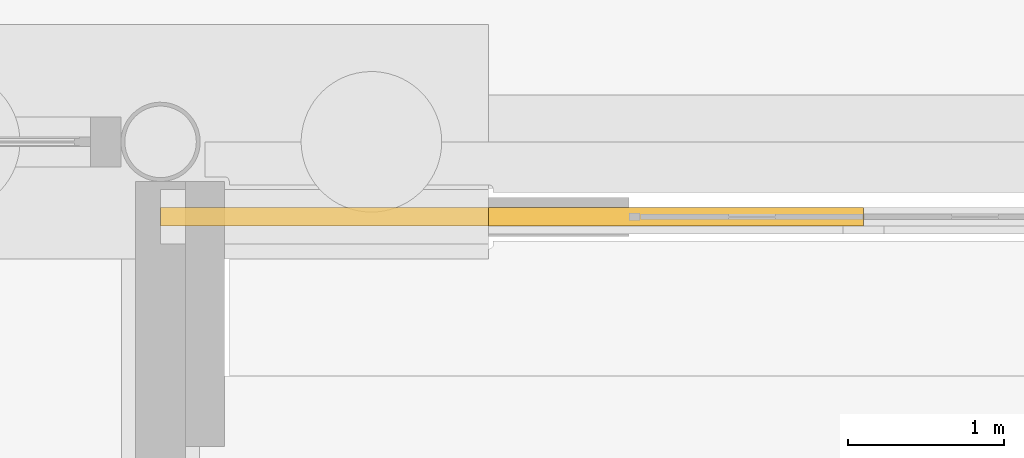
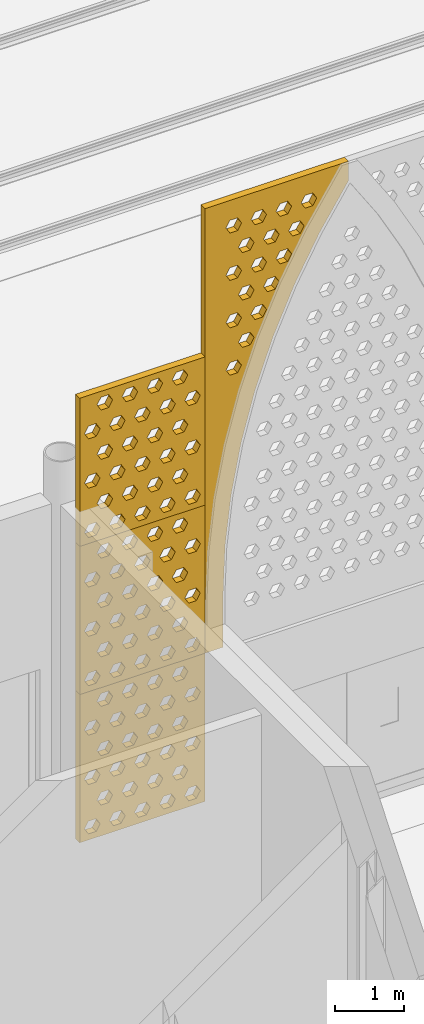
# One storey, part 185 of 250: 4 shading devices.
"""IFC4 building model written with IfcOpenShell, lengths in metres."""

from ifc_helpers import new_model, si_unit, direction, frame, origin, place, context, subcontext, project, spatial, polyline, outline, extrude, material, layer, layer_set, type_object, element, save


model = new_model("IFC4")

# Units and contexts
model_context = context("Model", 3, precision=1e-05, world=origin(), true_north=direction((0.0, 1.0)))
body_context = subcontext(model_context, "Body", "Model", "MODEL_VIEW")
ifc_project = project(units=[si_unit("LENGTHUNIT", "METRE"), si_unit("AREAUNIT", "SQUARE_METRE"), si_unit("VOLUMEUNIT", "CUBIC_METRE"), si_unit("PLANEANGLEUNIT", "RADIAN"), si_unit("MASSUNIT", "GRAM", prefix="KILO")], contexts=[model_context])

# Site, building, storey
site_placement = place(None, origin())
site = spatial("IfcSite", under=ifc_project, at=site_placement, CompositionType="ELEMENT")
building_placement = place(site_placement, origin())
building = spatial("IfcBuilding", under=site, at=building_placement, Name="Baradari Gate Terminus", CompositionType="ELEMENT")
storey_placement = place(building_placement, origin())
storey = spatial("IfcBuildingStorey", under=building, at=storey_placement, Name="L00", CompositionType="ELEMENT", Elevation=0.0)

# Shading devices
ifc_material = material(Name="Concrete C50/60 precast", Category="concrete")
ifc_layer = layer(ifc_material, 0.1201171875)
ifc_layer_set = layer_set([ifc_layer], Name="Concrete C50/60 precast")
shading_device_type = type_object("IfcShadingDeviceType", Name="Jali screen panel JS-2 120", PredefinedType="SHUTTER", material=ifc_layer_set)
shading_device_1_placement = place(storey_placement, frame((153.0, 35.52001953125, 0.89990234375), z_axis=(0.0, 0.0, 1.0), x_axis=(1.0, 0.0, 0.0)))
element("IfcShadingDevice", 1, at=shading_device_1_placement, inside=storey, type_object=shading_device_type, Name="Jali screen panel JS-2 SC00a row 1 panel 1", PredefinedType="SHUTTER", context=body_context, shape_type="SweptSolid", body=[
    extrude(outline(polyline([(0.0, 0.0), (2.10009765625, 0.0), (2.10009765625, 2.625), (0.0, 2.625), (0.0, 0.0)]), holes=[polyline([(0.340087890625, 0.21875), (0.27490234375, 0.106201171875), (0.14501953125, 0.106201171875), (0.080078125, 0.21875), (0.14501953125, 0.33154296875), (0.27490234375, 0.33154296875), (0.340087890625, 0.21875)]), polyline([(0.760009765625, 0.21875), (0.695068359375, 0.106201171875), (0.56494140625, 0.106201171875), (0.5, 0.21875), (0.56494140625, 0.33154296875), (0.695068359375, 0.33154296875), (0.760009765625, 0.21875)]), polyline([(1.179931640625, 0.21875), (1.114990234375, 0.106201171875), (0.985107421875, 0.106201171875), (0.919921875, 0.21875), (0.985107421875, 0.33154296875), (1.114990234375, 0.33154296875), (1.179931640625, 0.21875)]), polyline([(1.60009765625, 0.21875), (1.534912109375, 0.106201171875), (1.405029296875, 0.106201171875), (1.340087890625, 0.21875), (1.405029296875, 0.33154296875), (1.534912109375, 0.33154296875), (1.60009765625, 0.21875)]), polyline([(2.02001953125, 0.21875), (1.955078125, 0.106201171875), (1.824951171875, 0.106201171875), (1.760009765625, 0.21875), (1.824951171875, 0.33154296875), (1.955078125, 0.33154296875), (2.02001953125, 0.21875)]), polyline([(0.550048828125, 0.65625), (0.485107421875, 0.543701171875), (0.35498046875, 0.543701171875), (0.2900390625, 0.65625), (0.35498046875, 0.76904296875), (0.485107421875, 0.76904296875), (0.550048828125, 0.65625)]), polyline([(0.969970703125, 0.65625), (0.905029296875, 0.543701171875), (0.77490234375, 0.543701171875), (0.7099609375, 0.65625), (0.77490234375, 0.76904296875), (0.905029296875, 0.76904296875), (0.969970703125, 0.65625)]), polyline([(1.389892578125, 0.65625), (1.324951171875, 0.543701171875), (1.195068359375, 0.543701171875), (1.1298828125, 0.65625), (1.195068359375, 0.76904296875), (1.324951171875, 0.76904296875), (1.389892578125, 0.65625)]), polyline([(1.81005859375, 0.65625), (1.7451171875, 0.543701171875), (1.614990234375, 0.543701171875), (1.550048828125, 0.65625), (1.614990234375, 0.76904296875), (1.7451171875, 0.76904296875), (1.81005859375, 0.65625)]), polyline([(0.340087890625, 1.09375), (0.27490234375, 0.981201171875), (0.14501953125, 0.981201171875), (0.080078125, 1.09375), (0.14501953125, 1.20654296875), (0.27490234375, 1.20654296875), (0.340087890625, 1.09375)]), polyline([(0.760009765625, 1.09375), (0.695068359375, 0.981201171875), (0.56494140625, 0.981201171875), (0.5, 1.09375), (0.56494140625, 1.20654296875), (0.695068359375, 1.20654296875), (0.760009765625, 1.09375)]), polyline([(1.179931640625, 1.09375), (1.114990234375, 0.981201171875), (0.985107421875, 0.981201171875), (0.919921875, 1.09375), (0.985107421875, 1.20654296875), (1.114990234375, 1.20654296875), (1.179931640625, 1.09375)]), polyline([(1.60009765625, 1.09375), (1.534912109375, 0.981201171875), (1.405029296875, 0.981201171875), (1.340087890625, 1.09375), (1.405029296875, 1.20654296875), (1.534912109375, 1.20654296875), (1.60009765625, 1.09375)]), polyline([(2.02001953125, 1.09375), (1.955078125, 0.981201171875), (1.824951171875, 0.981201171875), (1.760009765625, 1.09375), (1.824951171875, 1.20654296875), (1.955078125, 1.20654296875), (2.02001953125, 1.09375)]), polyline([(0.550048828125, 1.53125), (0.485107421875, 1.418701171875), (0.35498046875, 1.418701171875), (0.2900390625, 1.53125), (0.35498046875, 1.64404296875), (0.485107421875, 1.64404296875), (0.550048828125, 1.53125)]), polyline([(0.969970703125, 1.53125), (0.905029296875, 1.418701171875), (0.77490234375, 1.418701171875), (0.7099609375, 1.53125), (0.77490234375, 1.64404296875), (0.905029296875, 1.64404296875), (0.969970703125, 1.53125)]), polyline([(1.389892578125, 1.53125), (1.324951171875, 1.418701171875), (1.195068359375, 1.418701171875), (1.1298828125, 1.53125), (1.195068359375, 1.64404296875), (1.324951171875, 1.64404296875), (1.389892578125, 1.53125)]), polyline([(1.81005859375, 1.53125), (1.7451171875, 1.418701171875), (1.614990234375, 1.418701171875), (1.550048828125, 1.53125), (1.614990234375, 1.64404296875), (1.7451171875, 1.64404296875), (1.81005859375, 1.53125)]), polyline([(0.340087890625, 1.96875), (0.27490234375, 1.856201171875), (0.14501953125, 1.856201171875), (0.080078125, 1.96875), (0.14501953125, 2.08154296875), (0.27490234375, 2.08154296875), (0.340087890625, 1.96875)]), polyline([(0.760009765625, 1.96875), (0.695068359375, 1.856201171875), (0.56494140625, 1.856201171875), (0.5, 1.96875), (0.56494140625, 2.08154296875), (0.695068359375, 2.08154296875), (0.760009765625, 1.96875)]), polyline([(1.179931640625, 1.96875), (1.114990234375, 1.856201171875), (0.985107421875, 1.856201171875), (0.919921875, 1.96875), (0.985107421875, 2.08154296875), (1.114990234375, 2.08154296875), (1.179931640625, 1.96875)]), polyline([(1.60009765625, 1.96875), (1.534912109375, 1.856201171875), (1.405029296875, 1.856201171875), (1.340087890625, 1.96875), (1.405029296875, 2.08154296875), (1.534912109375, 2.08154296875), (1.60009765625, 1.96875)]), polyline([(2.02001953125, 1.96875), (1.955078125, 1.856201171875), (1.824951171875, 1.856201171875), (1.760009765625, 1.96875), (1.824951171875, 2.08154296875), (1.955078125, 2.08154296875), (2.02001953125, 1.96875)]), polyline([(0.550048828125, 2.40625), (0.485107421875, 2.293701171875), (0.35498046875, 2.293701171875), (0.2900390625, 2.40625), (0.35498046875, 2.51904296875), (0.485107421875, 2.51904296875), (0.550048828125, 2.40625)]), polyline([(0.969970703125, 2.40625), (0.905029296875, 2.293701171875), (0.77490234375, 2.293701171875), (0.7099609375, 2.40625), (0.77490234375, 2.51904296875), (0.905029296875, 2.51904296875), (0.969970703125, 2.40625)]), polyline([(1.389892578125, 2.40625), (1.324951171875, 2.293701171875), (1.195068359375, 2.293701171875), (1.1298828125, 2.40625), (1.195068359375, 2.51904296875), (1.324951171875, 2.51904296875), (1.389892578125, 2.40625)]), polyline([(1.81005859375, 2.40625), (1.7451171875, 2.293701171875), (1.614990234375, 2.293701171875), (1.550048828125, 2.40625), (1.614990234375, 2.51904296875), (1.7451171875, 2.51904296875), (1.81005859375, 2.40625)])]), frame((0.0, 0.06005859375, 0.0), z_axis=(0.0, -1.0, 0.0), x_axis=(1.0, 0.0, 0.0)), (0.0, 0.0, 1.0), 0.1201171875),
])
shading_device_2_placement = place(storey_placement, frame((153.0, 35.52001953125, 3.52490234375), z_axis=(0.0, 0.0, 1.0), x_axis=(1.0, 0.0, 0.0)))
element("IfcShadingDevice", 2, at=shading_device_2_placement, inside=storey, type_object=shading_device_type, Name="Jali screen panel JS-2 SC00a row 2 panel 1", PredefinedType="SHUTTER", context=body_context, shape_type="SweptSolid", body=[
    extrude(outline(polyline([(0.0, 0.0), (2.10009765625, 0.0), (2.10009765625, 2.625), (0.0, 2.625), (0.0, 0.0)]), holes=[polyline([(0.340087890625, 0.21875), (0.27490234375, 0.106201171875), (0.14501953125, 0.106201171875), (0.080078125, 0.21875), (0.14501953125, 0.33154296875), (0.27490234375, 0.33154296875), (0.340087890625, 0.21875)]), polyline([(0.760009765625, 0.21875), (0.695068359375, 0.106201171875), (0.56494140625, 0.106201171875), (0.5, 0.21875), (0.56494140625, 0.33154296875), (0.695068359375, 0.33154296875), (0.760009765625, 0.21875)]), polyline([(1.179931640625, 0.21875), (1.114990234375, 0.106201171875), (0.985107421875, 0.106201171875), (0.919921875, 0.21875), (0.985107421875, 0.33154296875), (1.114990234375, 0.33154296875), (1.179931640625, 0.21875)]), polyline([(1.60009765625, 0.21875), (1.534912109375, 0.106201171875), (1.405029296875, 0.106201171875), (1.340087890625, 0.21875), (1.405029296875, 0.33154296875), (1.534912109375, 0.33154296875), (1.60009765625, 0.21875)]), polyline([(2.02001953125, 0.21875), (1.955078125, 0.106201171875), (1.824951171875, 0.106201171875), (1.760009765625, 0.21875), (1.824951171875, 0.33154296875), (1.955078125, 0.33154296875), (2.02001953125, 0.21875)]), polyline([(0.550048828125, 0.65625), (0.485107421875, 0.543701171875), (0.35498046875, 0.543701171875), (0.2900390625, 0.65625), (0.35498046875, 0.76904296875), (0.485107421875, 0.76904296875), (0.550048828125, 0.65625)]), polyline([(0.969970703125, 0.65625), (0.905029296875, 0.543701171875), (0.77490234375, 0.543701171875), (0.7099609375, 0.65625), (0.77490234375, 0.76904296875), (0.905029296875, 0.76904296875), (0.969970703125, 0.65625)]), polyline([(1.389892578125, 0.65625), (1.324951171875, 0.543701171875), (1.195068359375, 0.543701171875), (1.1298828125, 0.65625), (1.195068359375, 0.76904296875), (1.324951171875, 0.76904296875), (1.389892578125, 0.65625)]), polyline([(1.81005859375, 0.65625), (1.7451171875, 0.543701171875), (1.614990234375, 0.543701171875), (1.550048828125, 0.65625), (1.614990234375, 0.76904296875), (1.7451171875, 0.76904296875), (1.81005859375, 0.65625)]), polyline([(0.340087890625, 1.09375), (0.27490234375, 0.981201171875), (0.14501953125, 0.981201171875), (0.080078125, 1.09375), (0.14501953125, 1.20654296875), (0.27490234375, 1.20654296875), (0.340087890625, 1.09375)]), polyline([(0.760009765625, 1.09375), (0.695068359375, 0.981201171875), (0.56494140625, 0.981201171875), (0.5, 1.09375), (0.56494140625, 1.20654296875), (0.695068359375, 1.20654296875), (0.760009765625, 1.09375)]), polyline([(1.179931640625, 1.09375), (1.114990234375, 0.981201171875), (0.985107421875, 0.981201171875), (0.919921875, 1.09375), (0.985107421875, 1.20654296875), (1.114990234375, 1.20654296875), (1.179931640625, 1.09375)]), polyline([(1.60009765625, 1.09375), (1.534912109375, 0.981201171875), (1.405029296875, 0.981201171875), (1.340087890625, 1.09375), (1.405029296875, 1.20654296875), (1.534912109375, 1.20654296875), (1.60009765625, 1.09375)]), polyline([(2.02001953125, 1.09375), (1.955078125, 0.981201171875), (1.824951171875, 0.981201171875), (1.760009765625, 1.09375), (1.824951171875, 1.20654296875), (1.955078125, 1.20654296875), (2.02001953125, 1.09375)]), polyline([(0.550048828125, 1.53125), (0.485107421875, 1.418701171875), (0.35498046875, 1.418701171875), (0.2900390625, 1.53125), (0.35498046875, 1.64404296875), (0.485107421875, 1.64404296875), (0.550048828125, 1.53125)]), polyline([(0.969970703125, 1.53125), (0.905029296875, 1.418701171875), (0.77490234375, 1.418701171875), (0.7099609375, 1.53125), (0.77490234375, 1.64404296875), (0.905029296875, 1.64404296875), (0.969970703125, 1.53125)]), polyline([(1.389892578125, 1.53125), (1.324951171875, 1.418701171875), (1.195068359375, 1.418701171875), (1.1298828125, 1.53125), (1.195068359375, 1.64404296875), (1.324951171875, 1.64404296875), (1.389892578125, 1.53125)]), polyline([(1.81005859375, 1.53125), (1.7451171875, 1.418701171875), (1.614990234375, 1.418701171875), (1.550048828125, 1.53125), (1.614990234375, 1.64404296875), (1.7451171875, 1.64404296875), (1.81005859375, 1.53125)]), polyline([(0.340087890625, 1.96875), (0.27490234375, 1.856201171875), (0.14501953125, 1.856201171875), (0.080078125, 1.96875), (0.14501953125, 2.08154296875), (0.27490234375, 2.08154296875), (0.340087890625, 1.96875)]), polyline([(0.760009765625, 1.96875), (0.695068359375, 1.856201171875), (0.56494140625, 1.856201171875), (0.5, 1.96875), (0.56494140625, 2.08154296875), (0.695068359375, 2.08154296875), (0.760009765625, 1.96875)]), polyline([(1.179931640625, 1.96875), (1.114990234375, 1.856201171875), (0.985107421875, 1.856201171875), (0.919921875, 1.96875), (0.985107421875, 2.08154296875), (1.114990234375, 2.08154296875), (1.179931640625, 1.96875)]), polyline([(1.60009765625, 1.96875), (1.534912109375, 1.856201171875), (1.405029296875, 1.856201171875), (1.340087890625, 1.96875), (1.405029296875, 2.08154296875), (1.534912109375, 2.08154296875), (1.60009765625, 1.96875)]), polyline([(2.02001953125, 1.96875), (1.955078125, 1.856201171875), (1.824951171875, 1.856201171875), (1.760009765625, 1.96875), (1.824951171875, 2.08154296875), (1.955078125, 2.08154296875), (2.02001953125, 1.96875)]), polyline([(0.550048828125, 2.40625), (0.485107421875, 2.293701171875), (0.35498046875, 2.293701171875), (0.2900390625, 2.40625), (0.35498046875, 2.51904296875), (0.485107421875, 2.51904296875), (0.550048828125, 2.40625)]), polyline([(0.969970703125, 2.40625), (0.905029296875, 2.293701171875), (0.77490234375, 2.293701171875), (0.7099609375, 2.40625), (0.77490234375, 2.51904296875), (0.905029296875, 2.51904296875), (0.969970703125, 2.40625)]), polyline([(1.389892578125, 2.40625), (1.324951171875, 2.293701171875), (1.195068359375, 2.293701171875), (1.1298828125, 2.40625), (1.195068359375, 2.51904296875), (1.324951171875, 2.51904296875), (1.389892578125, 2.40625)]), polyline([(1.81005859375, 2.40625), (1.7451171875, 2.293701171875), (1.614990234375, 2.293701171875), (1.550048828125, 2.40625), (1.614990234375, 2.51904296875), (1.7451171875, 2.51904296875), (1.81005859375, 2.40625)])]), frame((0.0, 0.06005859375, 0.0), z_axis=(0.0, -1.0, 0.0), x_axis=(1.0, 0.0, 0.0)), (0.0, 0.0, 1.0), 0.1201171875),
])
shading_device_3_placement = place(storey_placement, frame((153.0, 35.52001953125, 6.14990234375), z_axis=(0.0, 0.0, 1.0), x_axis=(1.0, 0.0, 0.0)))
element("IfcShadingDevice", 3, at=shading_device_3_placement, inside=storey, type_object=shading_device_type, Name="Jali screen panel JS-2 SC00a row 3 panel 1", PredefinedType="SHUTTER", context=body_context, shape_type="SweptSolid", body=[
    extrude(outline(polyline([(0.0, 0.0), (2.10009765625, 0.0), (2.10009765625, 2.625), (0.0, 2.625), (0.0, 0.0)]), holes=[polyline([(0.340087890625, 0.21875), (0.27490234375, 0.106201171875), (0.14501953125, 0.106201171875), (0.080078125, 0.21875), (0.14501953125, 0.33154296875), (0.27490234375, 0.33154296875), (0.340087890625, 0.21875)]), polyline([(0.760009765625, 0.21875), (0.695068359375, 0.106201171875), (0.56494140625, 0.106201171875), (0.5, 0.21875), (0.56494140625, 0.33154296875), (0.695068359375, 0.33154296875), (0.760009765625, 0.21875)]), polyline([(1.179931640625, 0.21875), (1.114990234375, 0.106201171875), (0.985107421875, 0.106201171875), (0.919921875, 0.21875), (0.985107421875, 0.33154296875), (1.114990234375, 0.33154296875), (1.179931640625, 0.21875)]), polyline([(1.60009765625, 0.21875), (1.534912109375, 0.106201171875), (1.405029296875, 0.106201171875), (1.340087890625, 0.21875), (1.405029296875, 0.33154296875), (1.534912109375, 0.33154296875), (1.60009765625, 0.21875)]), polyline([(2.02001953125, 0.21875), (1.955078125, 0.106201171875), (1.824951171875, 0.106201171875), (1.760009765625, 0.21875), (1.824951171875, 0.33154296875), (1.955078125, 0.33154296875), (2.02001953125, 0.21875)]), polyline([(0.550048828125, 0.65625), (0.485107421875, 0.543701171875), (0.35498046875, 0.543701171875), (0.2900390625, 0.65625), (0.35498046875, 0.76904296875), (0.485107421875, 0.76904296875), (0.550048828125, 0.65625)]), polyline([(0.969970703125, 0.65625), (0.905029296875, 0.543701171875), (0.77490234375, 0.543701171875), (0.7099609375, 0.65625), (0.77490234375, 0.76904296875), (0.905029296875, 0.76904296875), (0.969970703125, 0.65625)]), polyline([(1.389892578125, 0.65625), (1.324951171875, 0.543701171875), (1.195068359375, 0.543701171875), (1.1298828125, 0.65625), (1.195068359375, 0.76904296875), (1.324951171875, 0.76904296875), (1.389892578125, 0.65625)]), polyline([(1.81005859375, 0.65625), (1.7451171875, 0.543701171875), (1.614990234375, 0.543701171875), (1.550048828125, 0.65625), (1.614990234375, 0.76904296875), (1.7451171875, 0.76904296875), (1.81005859375, 0.65625)]), polyline([(0.340087890625, 1.09375), (0.27490234375, 0.981201171875), (0.14501953125, 0.981201171875), (0.080078125, 1.09375), (0.14501953125, 1.20654296875), (0.27490234375, 1.20654296875), (0.340087890625, 1.09375)]), polyline([(0.760009765625, 1.09375), (0.695068359375, 0.981201171875), (0.56494140625, 0.981201171875), (0.5, 1.09375), (0.56494140625, 1.20654296875), (0.695068359375, 1.20654296875), (0.760009765625, 1.09375)]), polyline([(1.179931640625, 1.09375), (1.114990234375, 0.981201171875), (0.985107421875, 0.981201171875), (0.919921875, 1.09375), (0.985107421875, 1.20654296875), (1.114990234375, 1.20654296875), (1.179931640625, 1.09375)]), polyline([(1.60009765625, 1.09375), (1.534912109375, 0.981201171875), (1.405029296875, 0.981201171875), (1.340087890625, 1.09375), (1.405029296875, 1.20654296875), (1.534912109375, 1.20654296875), (1.60009765625, 1.09375)]), polyline([(2.02001953125, 1.09375), (1.955078125, 0.981201171875), (1.824951171875, 0.981201171875), (1.760009765625, 1.09375), (1.824951171875, 1.20654296875), (1.955078125, 1.20654296875), (2.02001953125, 1.09375)]), polyline([(0.550048828125, 1.53125), (0.485107421875, 1.418701171875), (0.35498046875, 1.418701171875), (0.2900390625, 1.53125), (0.35498046875, 1.64404296875), (0.485107421875, 1.64404296875), (0.550048828125, 1.53125)]), polyline([(0.969970703125, 1.53125), (0.905029296875, 1.418701171875), (0.77490234375, 1.418701171875), (0.7099609375, 1.53125), (0.77490234375, 1.64404296875), (0.905029296875, 1.64404296875), (0.969970703125, 1.53125)]), polyline([(1.389892578125, 1.53125), (1.324951171875, 1.418701171875), (1.195068359375, 1.418701171875), (1.1298828125, 1.53125), (1.195068359375, 1.64404296875), (1.324951171875, 1.64404296875), (1.389892578125, 1.53125)]), polyline([(1.81005859375, 1.53125), (1.7451171875, 1.418701171875), (1.614990234375, 1.418701171875), (1.550048828125, 1.53125), (1.614990234375, 1.64404296875), (1.7451171875, 1.64404296875), (1.81005859375, 1.53125)]), polyline([(0.340087890625, 1.96875), (0.27490234375, 1.856201171875), (0.14501953125, 1.856201171875), (0.080078125, 1.96875), (0.14501953125, 2.08154296875), (0.27490234375, 2.08154296875), (0.340087890625, 1.96875)]), polyline([(0.760009765625, 1.96875), (0.695068359375, 1.856201171875), (0.56494140625, 1.856201171875), (0.5, 1.96875), (0.56494140625, 2.08154296875), (0.695068359375, 2.08154296875), (0.760009765625, 1.96875)]), polyline([(1.179931640625, 1.96875), (1.114990234375, 1.856201171875), (0.985107421875, 1.856201171875), (0.919921875, 1.96875), (0.985107421875, 2.08154296875), (1.114990234375, 2.08154296875), (1.179931640625, 1.96875)]), polyline([(1.60009765625, 1.96875), (1.534912109375, 1.856201171875), (1.405029296875, 1.856201171875), (1.340087890625, 1.96875), (1.405029296875, 2.08154296875), (1.534912109375, 2.08154296875), (1.60009765625, 1.96875)]), polyline([(2.02001953125, 1.96875), (1.955078125, 1.856201171875), (1.824951171875, 1.856201171875), (1.760009765625, 1.96875), (1.824951171875, 2.08154296875), (1.955078125, 2.08154296875), (2.02001953125, 1.96875)]), polyline([(0.550048828125, 2.40625), (0.485107421875, 2.293701171875), (0.35498046875, 2.293701171875), (0.2900390625, 2.40625), (0.35498046875, 2.51904296875), (0.485107421875, 2.51904296875), (0.550048828125, 2.40625)]), polyline([(0.969970703125, 2.40625), (0.905029296875, 2.293701171875), (0.77490234375, 2.293701171875), (0.7099609375, 2.40625), (0.77490234375, 2.51904296875), (0.905029296875, 2.51904296875), (0.969970703125, 2.40625)]), polyline([(1.389892578125, 2.40625), (1.324951171875, 2.293701171875), (1.195068359375, 2.293701171875), (1.1298828125, 2.40625), (1.195068359375, 2.51904296875), (1.324951171875, 2.51904296875), (1.389892578125, 2.40625)]), polyline([(1.81005859375, 2.40625), (1.7451171875, 2.293701171875), (1.614990234375, 2.293701171875), (1.550048828125, 2.40625), (1.614990234375, 2.51904296875), (1.7451171875, 2.51904296875), (1.81005859375, 2.40625)])]), frame((0.0, 0.06005859375, 0.0), z_axis=(0.0, -1.0, 0.0), x_axis=(1.0, 0.0, 0.0)), (0.0, 0.0, 1.0), 0.1201171875),
])
shading_device_4_placement = place(storey_placement, frame((155.10009765625, 35.52001953125, 3.52490234375), z_axis=(0.0, 0.0, 1.0), x_axis=(1.0, 0.0, 0.0)))
element("IfcShadingDevice", 4, at=shading_device_4_placement, inside=storey, type_object=shading_device_type, Name="Jali screen panel JS-2 SC00b arch L1", PredefinedType="SHUTTER", context=body_context, shape_type="SweptSolid", body=[
    extrude(outline(polyline([(0.0, 0.0), (0.300048828125, 0.0), (0.300048828125, 0.900146484375), (0.333740234375, 1.78173828125), (0.435302734375, 2.658203125), (0.603515625, 3.5244140625), (0.837646484375, 4.375), (1.13623046875, 5.205322265625), (1.49755859375, 6.01025390625), (1.919677734375, 6.784912109375), (2.39990234375, 7.525146484375), (2.39990234375, 7.875), (0.0, 7.875), (0.0, 0.0)]), holes=[polyline([(0.610107421875, 4.89013671875), (0.544921875, 4.777587890625), (0.4150390625, 4.777587890625), (0.35009765625, 4.89013671875), (0.4150390625, 5.002685546875), (0.544921875, 5.002685546875), (0.610107421875, 4.89013671875)]), polyline([(0.820068359375, 5.31005859375), (0.7548828125, 5.197509765625), (0.625, 5.197509765625), (0.56005859375, 5.31005859375), (0.625, 5.422607421875), (0.7548828125, 5.422607421875), (0.820068359375, 5.31005859375)]), polyline([(0.610107421875, 5.72998046875), (0.544921875, 5.617431640625), (0.4150390625, 5.617431640625), (0.35009765625, 5.72998046875), (0.4150390625, 5.8427734375), (0.544921875, 5.8427734375), (0.610107421875, 5.72998046875)]), polyline([(1.030029296875, 5.72998046875), (0.965087890625, 5.617431640625), (0.8349609375, 5.617431640625), (0.77001953125, 5.72998046875), (0.8349609375, 5.8427734375), (0.965087890625, 5.8427734375), (1.030029296875, 5.72998046875)]), polyline([(0.820068359375, 6.150146484375), (0.7548828125, 6.03759765625), (0.625, 6.03759765625), (0.56005859375, 6.150146484375), (0.625, 6.2626953125), (0.7548828125, 6.2626953125), (0.820068359375, 6.150146484375)]), polyline([(1.239990234375, 6.150146484375), (1.175048828125, 6.03759765625), (1.044921875, 6.03759765625), (0.97998046875, 6.150146484375), (1.044921875, 6.2626953125), (1.175048828125, 6.2626953125), (1.239990234375, 6.150146484375)]), polyline([(0.610107421875, 6.570068359375), (0.544921875, 6.45751953125), (0.4150390625, 6.45751953125), (0.35009765625, 6.570068359375), (0.4150390625, 6.6826171875), (0.544921875, 6.6826171875), (0.610107421875, 6.570068359375)]), polyline([(1.030029296875, 6.570068359375), (0.965087890625, 6.45751953125), (0.8349609375, 6.45751953125), (0.77001953125, 6.570068359375), (0.8349609375, 6.6826171875), (0.965087890625, 6.6826171875), (1.030029296875, 6.570068359375)]), polyline([(1.449951171875, 6.570068359375), (1.385009765625, 6.45751953125), (1.2548828125, 6.45751953125), (1.18994140625, 6.570068359375), (1.2548828125, 6.6826171875), (1.385009765625, 6.6826171875), (1.449951171875, 6.570068359375)]), polyline([(0.820068359375, 6.989990234375), (0.7548828125, 6.87744140625), (0.625, 6.87744140625), (0.56005859375, 6.989990234375), (0.625, 7.102783203125), (0.7548828125, 7.102783203125), (0.820068359375, 6.989990234375)]), polyline([(1.239990234375, 6.989990234375), (1.175048828125, 6.87744140625), (1.044921875, 6.87744140625), (0.97998046875, 6.989990234375), (1.044921875, 7.102783203125), (1.175048828125, 7.102783203125), (1.239990234375, 6.989990234375)]), polyline([(1.659912109375, 6.989990234375), (1.594970703125, 6.87744140625), (1.465087890625, 6.87744140625), (1.39990234375, 6.989990234375), (1.465087890625, 7.102783203125), (1.594970703125, 7.102783203125), (1.659912109375, 6.989990234375)]), polyline([(0.610107421875, 7.41015625), (0.544921875, 7.297607421875), (0.4150390625, 7.297607421875), (0.35009765625, 7.41015625), (0.4150390625, 7.522705078125), (0.544921875, 7.522705078125), (0.610107421875, 7.41015625)]), polyline([(1.030029296875, 7.41015625), (0.965087890625, 7.297607421875), (0.8349609375, 7.297607421875), (0.77001953125, 7.41015625), (0.8349609375, 7.522705078125), (0.965087890625, 7.522705078125), (1.030029296875, 7.41015625)]), polyline([(1.449951171875, 7.41015625), (1.385009765625, 7.297607421875), (1.2548828125, 7.297607421875), (1.18994140625, 7.41015625), (1.2548828125, 7.522705078125), (1.385009765625, 7.522705078125), (1.449951171875, 7.41015625)]), polyline([(1.8701171875, 7.41015625), (1.804931640625, 7.297607421875), (1.675048828125, 7.297607421875), (1.610107421875, 7.41015625), (1.675048828125, 7.522705078125), (1.804931640625, 7.522705078125), (1.8701171875, 7.41015625)])]), frame((0.0, 0.06005859375, 0.0), z_axis=(0.0, -1.0, 0.0), x_axis=(1.0, 0.0, 0.0)), (0.0, 0.0, 1.0), 0.1201171875),
])

save(model, "model.ifc")
